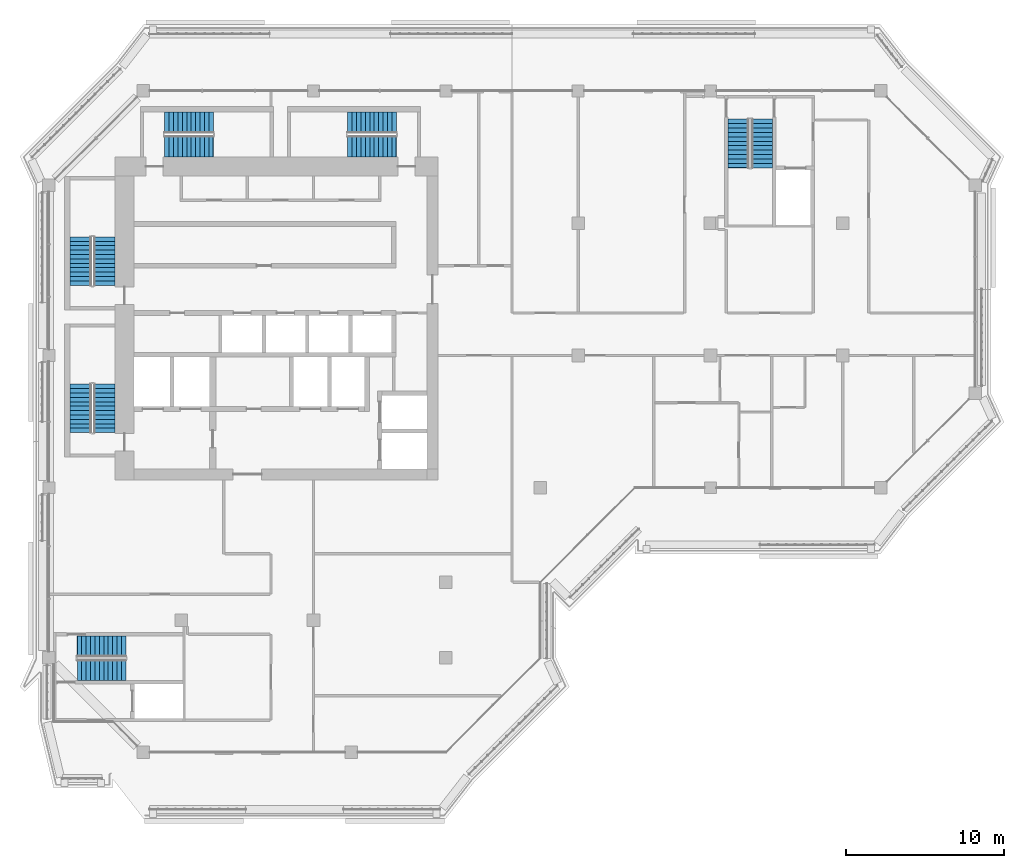
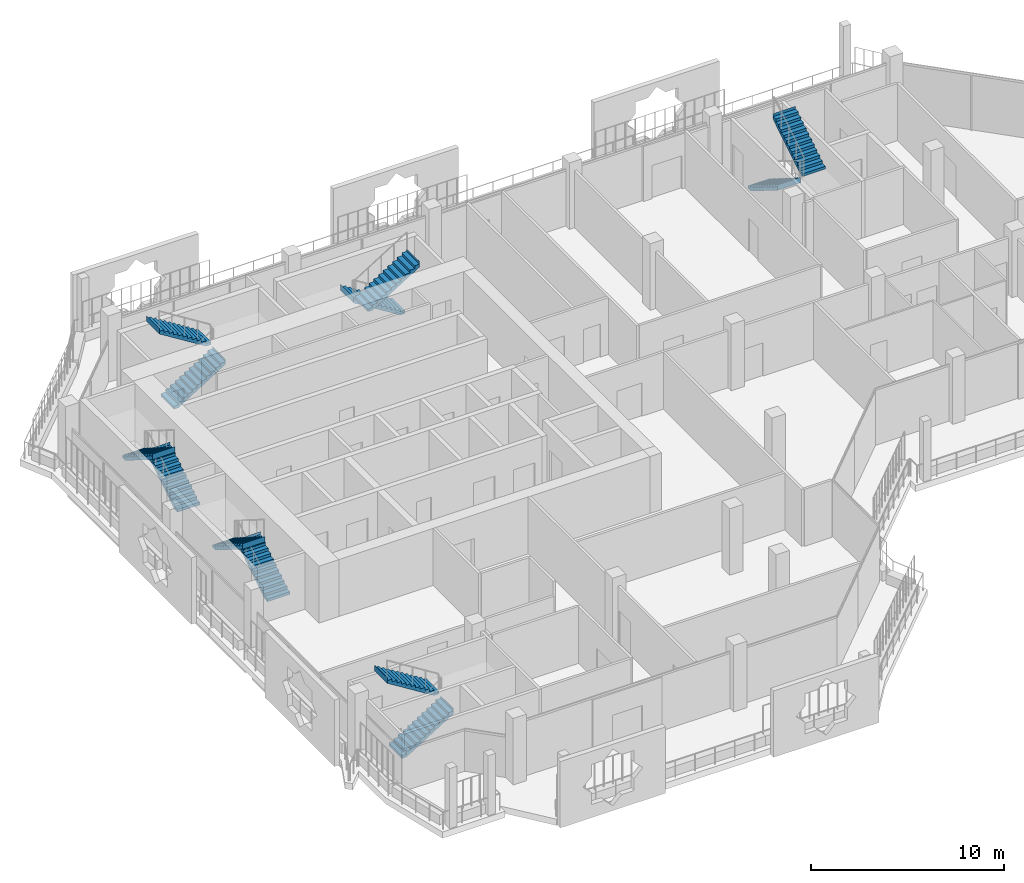
# One storey, part 14 of 21: 12 stair flights, 6 elements without a shape of their own.
"""IFC4 building model written with IfcOpenShell, lengths in metres."""

from ifc_helpers import new_model, si_unit, direction, frame, origin, place, context, subcontext, project, spatial, polyline, outline, extrude, material, type_object, element, aggregate, save


model = new_model("IFC4")

# Units and contexts
model_context = context("Model", 3, precision=1e-05, world=origin(), true_north=direction((0.0, 1.0)))
body_context = subcontext(model_context, "Body", "Model", "MODEL_VIEW")
ifc_project = project(units=[si_unit("LENGTHUNIT", "METRE"), si_unit("AREAUNIT", "SQUARE_METRE"), si_unit("VOLUMEUNIT", "CUBIC_METRE"), si_unit("PLANEANGLEUNIT", "RADIAN"), si_unit("MASSUNIT", "GRAM", prefix="KILO")], contexts=[model_context])

# Site, building, storey
site_placement = place(None, origin())
site = spatial("IfcSite", under=ifc_project, at=site_placement, CompositionType="ELEMENT")
building_placement = place(site_placement, origin())
building = spatial("IfcBuilding", under=site, at=building_placement, Name="Kawkab Arch Medical Tower", CompositionType="ELEMENT")
storey_placement = place(building_placement, frame((0.0, 0.0, 315.39990234375)))
storey = spatial("IfcBuildingStorey", under=building, at=storey_placement, Name="L73", CompositionType="ELEMENT", Elevation=315.39990234375)

# Stair, stair flights
ifc_material_1 = material(Name="Concrete C40/50", Category="concrete")
stair_type = type_object("IfcStairType", Name="Exit stair 1350", PredefinedType="HALF_TURN_STAIR", material=ifc_material_1)
placement = place(storey_placement, origin())
stair_1 = element("IfcStair", 1, at=placement, inside=storey, type_object=stair_type, Name="L73 Exit stair ST1", PredefinedType="HALF_TURN_STAIR")
ifc_material_2 = material(Name="Concrete C40/50", Category="concrete")
stair_flight_type = type_object("IfcStairFlightType", Name="Exit stair flight 1350", PredefinedType="STRAIGHT", material=ifc_material_2)
stair_flight_1_placement = place(storey_placement, frame((3.52490234375, -12.35009765625, 0.0), z_axis=(0.0, 0.0, 1.0), x_axis=(0.0, 1.0, 0.0)))
stair_flight_1 = element("IfcStairFlight", 2, at=stair_flight_1_placement, type_object=stair_flight_type, Name="ST1 flight 1", NumberOfRisers=12, NumberOfTreads=11, PredefinedType="STRAIGHT", RiserHeight=0.175, TreadLength=0.28, context=body_context, shape_type="SweptSolid", body=[
    extrude(outline(polyline([(-0.0029296875, 0.0), (-0.0029296875, 0.175048828125), (0.0, 0.175048828125), (0.280029296875, 0.175048828125), (0.280029296875, 0.35009765625), (0.56005859375, 0.35009765625), (0.56005859375, 0.52490234375), (0.840087890625, 0.52490234375), (0.840087890625, 0.699951171875), (1.1201171875, 0.699951171875), (1.1201171875, 0.875), (1.39990234375, 0.875), (1.39990234375, 1.050048828125), (1.679931640625, 1.050048828125), (1.679931640625, 1.22509765625), (1.9599609375, 1.22509765625), (1.9599609375, 1.39990234375), (2.239990234375, 1.39990234375), (2.239990234375, 1.574951171875), (2.52001953125, 1.574951171875), (2.52001953125, 1.75), (2.800048828125, 1.75), (2.800048828125, 1.925048828125), (3.080078125, 1.925048828125), (3.080078125, 2.10009765625), (3.0830078125, 2.10009765625), (3.0830078125, 1.748291015625), (3.080078125, 1.748291015625), (0.28271484375, 0.0), (-0.0029296875, 0.0)])), frame((0.0, 0.675048828125, 0.0), z_axis=(0.0, -1.0, 0.0), x_axis=(1.0, 0.0, 0.0)), (0.0, 0.0, 1.0), 1.35009765625),
])
stair_flight_2_placement = place(storey_placement, frame((2.02490234375, -9.27001953125, 2.10009765625), z_axis=(0.0, 0.0, 1.0), x_axis=(0.0, -1.0, 0.0)))
stair_flight_2 = element("IfcStairFlight", 3, at=stair_flight_2_placement, type_object=stair_flight_type, Name="ST1 flight 2", NumberOfRisers=12, NumberOfTreads=11, PredefinedType="STRAIGHT", RiserHeight=0.175, TreadLength=0.28, context=body_context, shape_type="SweptSolid", body=[
    extrude(outline(polyline([(-0.0029296875, 0.0), (-0.0029296875, 0.175048828125), (0.0, 0.175048828125), (0.280029296875, 0.175048828125), (0.280029296875, 0.35009765625), (0.56005859375, 0.35009765625), (0.56005859375, 0.52490234375), (0.840087890625, 0.52490234375), (0.840087890625, 0.699951171875), (1.1201171875, 0.699951171875), (1.1201171875, 0.875), (1.39990234375, 0.875), (1.39990234375, 1.050048828125), (1.679931640625, 1.050048828125), (1.679931640625, 1.22509765625), (1.9599609375, 1.22509765625), (1.9599609375, 1.39990234375), (2.239990234375, 1.39990234375), (2.239990234375, 1.574951171875), (2.52001953125, 1.574951171875), (2.52001953125, 1.75), (2.800048828125, 1.75), (2.800048828125, 1.925048828125), (3.080078125, 1.925048828125), (3.080078125, 2.10009765625), (3.0830078125, 2.10009765625), (3.0830078125, 1.748291015625), (3.080078125, 1.748291015625), (0.28271484375, 0.0), (-0.0029296875, 0.0)])), frame((0.0, 0.675048828125, 0.0), z_axis=(0.0, -1.0, 0.0), x_axis=(1.0, 0.0, 0.0)), (0.0, 0.0, 1.0), 1.35009765625),
])
aggregate(stair_1, [stair_flight_1, stair_flight_2])

stair_2 = element("IfcStair", 4, at=placement, inside=storey, type_object=stair_type, Name="L73 Exit stair ST2", PredefinedType="HALF_TURN_STAIR")
stair_flight_3_placement = place(storey_placement, frame((3.52490234375, -21.699951171875, 0.0), z_axis=(0.0, 0.0, 1.0), x_axis=(0.0, 1.0, 0.0)))
stair_flight_3 = element("IfcStairFlight", 5, at=stair_flight_3_placement, type_object=stair_flight_type, Name="ST2 flight 1", NumberOfRisers=12, NumberOfTreads=11, PredefinedType="STRAIGHT", RiserHeight=0.175, TreadLength=0.28, context=body_context, shape_type="SweptSolid", body=[
    extrude(outline(polyline([(-0.0029296875, 0.0), (-0.0029296875, 0.175048828125), (0.0, 0.175048828125), (0.280029296875, 0.175048828125), (0.280029296875, 0.35009765625), (0.56005859375, 0.35009765625), (0.56005859375, 0.52490234375), (0.840087890625, 0.52490234375), (0.840087890625, 0.699951171875), (1.1201171875, 0.699951171875), (1.1201171875, 0.875), (1.39990234375, 0.875), (1.39990234375, 1.050048828125), (1.679931640625, 1.050048828125), (1.679931640625, 1.22509765625), (1.9599609375, 1.22509765625), (1.9599609375, 1.39990234375), (2.239990234375, 1.39990234375), (2.239990234375, 1.574951171875), (2.52001953125, 1.574951171875), (2.52001953125, 1.75), (2.800048828125, 1.75), (2.800048828125, 1.925048828125), (3.080078125, 1.925048828125), (3.080078125, 2.10009765625), (3.0830078125, 2.10009765625), (3.0830078125, 1.748291015625), (3.080078125, 1.748291015625), (0.28271484375, 0.0), (-0.0029296875, 0.0)])), frame((0.0, 0.675048828125, 0.0), z_axis=(0.0, -1.0, 0.0), x_axis=(1.0, 0.0, 0.0)), (0.0, 0.0, 1.0), 1.35009765625),
])
stair_flight_4_placement = place(storey_placement, frame((2.02490234375, -18.6201171875, 2.10009765625), z_axis=(0.0, 0.0, 1.0), x_axis=(0.0, -1.0, 0.0)))
stair_flight_4 = element("IfcStairFlight", 6, at=stair_flight_4_placement, type_object=stair_flight_type, Name="ST2 flight 2", NumberOfRisers=12, NumberOfTreads=11, PredefinedType="STRAIGHT", RiserHeight=0.175, TreadLength=0.28, context=body_context, shape_type="SweptSolid", body=[
    extrude(outline(polyline([(-0.0029296875, 0.0), (-0.0029296875, 0.175048828125), (0.0, 0.175048828125), (0.280029296875, 0.175048828125), (0.280029296875, 0.35009765625), (0.56005859375, 0.35009765625), (0.56005859375, 0.52490234375), (0.840087890625, 0.52490234375), (0.840087890625, 0.699951171875), (1.1201171875, 0.699951171875), (1.1201171875, 0.875), (1.39990234375, 0.875), (1.39990234375, 1.050048828125), (1.679931640625, 1.050048828125), (1.679931640625, 1.22509765625), (1.9599609375, 1.22509765625), (1.9599609375, 1.39990234375), (2.239990234375, 1.39990234375), (2.239990234375, 1.574951171875), (2.52001953125, 1.574951171875), (2.52001953125, 1.75), (2.800048828125, 1.75), (2.800048828125, 1.925048828125), (3.080078125, 1.925048828125), (3.080078125, 2.10009765625), (3.0830078125, 2.10009765625), (3.0830078125, 1.748291015625), (3.080078125, 1.748291015625), (0.28271484375, 0.0), (-0.0029296875, 0.0)])), frame((0.0, 0.675048828125, 0.0), z_axis=(0.0, -1.0, 0.0), x_axis=(1.0, 0.0, 0.0)), (0.0, 0.0, 1.0), 1.35009765625),
])
aggregate(stair_2, [stair_flight_3, stair_flight_4])

stair_3 = element("IfcStair", 7, at=placement, inside=storey, type_object=stair_type, Name="L73 Exit stair ST3", PredefinedType="HALF_TURN_STAIR")
stair_flight_5_placement = place(storey_placement, frame((7.35009765625, -3.52490234375, 0.0), z_axis=(0.0, 0.0, 1.0), x_axis=(1.0, 0.0, 0.0)))
stair_flight_5 = element("IfcStairFlight", 8, at=stair_flight_5_placement, type_object=stair_flight_type, Name="ST3 flight 1", NumberOfRisers=12, NumberOfTreads=11, PredefinedType="STRAIGHT", RiserHeight=0.175, TreadLength=0.28, context=body_context, shape_type="SweptSolid", body=[
    extrude(outline(polyline([(-0.0029296875, 0.0), (-0.0029296875, 0.175048828125), (0.0, 0.175048828125), (0.280029296875, 0.175048828125), (0.280029296875, 0.35009765625), (0.56005859375, 0.35009765625), (0.56005859375, 0.52490234375), (0.840087890625, 0.52490234375), (0.840087890625, 0.699951171875), (1.1201171875, 0.699951171875), (1.1201171875, 0.875), (1.39990234375, 0.875), (1.39990234375, 1.050048828125), (1.679931640625, 1.050048828125), (1.679931640625, 1.22509765625), (1.9599609375, 1.22509765625), (1.9599609375, 1.39990234375), (2.239990234375, 1.39990234375), (2.239990234375, 1.574951171875), (2.52001953125, 1.574951171875), (2.52001953125, 1.75), (2.800048828125, 1.75), (2.800048828125, 1.925048828125), (3.080078125, 1.925048828125), (3.080078125, 2.10009765625), (3.0830078125, 2.10009765625), (3.0830078125, 1.748291015625), (3.080078125, 1.748291015625), (0.28271484375, 0.0), (-0.0029296875, 0.0)])), frame((0.0, 0.675048828125, 0.0), z_axis=(0.0, -1.0, 0.0), x_axis=(1.0, 0.0, 0.0)), (0.0, 0.0, 1.0), 1.35009765625),
])
stair_flight_6_placement = place(storey_placement, frame((10.429931640625, -2.02490234375, 2.10009765625), z_axis=(0.0, 0.0, 1.0), x_axis=(-1.0, 0.0, 0.0)))
stair_flight_6 = element("IfcStairFlight", 9, at=stair_flight_6_placement, type_object=stair_flight_type, Name="ST3 flight 2", NumberOfRisers=12, NumberOfTreads=11, PredefinedType="STRAIGHT", RiserHeight=0.175, TreadLength=0.28, context=body_context, shape_type="SweptSolid", body=[
    extrude(outline(polyline([(-0.0029296875, 0.0), (-0.0029296875, 0.175048828125), (0.0, 0.175048828125), (0.280029296875, 0.175048828125), (0.280029296875, 0.35009765625), (0.56005859375, 0.35009765625), (0.56005859375, 0.52490234375), (0.840087890625, 0.52490234375), (0.840087890625, 0.699951171875), (1.1201171875, 0.699951171875), (1.1201171875, 0.875), (1.39990234375, 0.875), (1.39990234375, 1.050048828125), (1.679931640625, 1.050048828125), (1.679931640625, 1.22509765625), (1.9599609375, 1.22509765625), (1.9599609375, 1.39990234375), (2.239990234375, 1.39990234375), (2.239990234375, 1.574951171875), (2.52001953125, 1.574951171875), (2.52001953125, 1.75), (2.800048828125, 1.75), (2.800048828125, 1.925048828125), (3.080078125, 1.925048828125), (3.080078125, 2.10009765625), (3.0830078125, 2.10009765625), (3.0830078125, 1.748291015625), (3.080078125, 1.748291015625), (0.28271484375, 0.0), (-0.0029296875, 0.0)])), frame((0.0, 0.675048828125, 0.0), z_axis=(0.0, -1.0, 0.0), x_axis=(1.0, 0.0, 0.0)), (0.0, 0.0, 1.0), 1.35009765625),
])
aggregate(stair_3, [stair_flight_5, stair_flight_6])

stair_4 = element("IfcStair", 10, at=placement, inside=storey, type_object=stair_type, Name="L73 Exit stair ST4", PredefinedType="HALF_TURN_STAIR")
stair_flight_7_placement = place(storey_placement, frame((22.050048828125, -2.02490234375, 0.0), z_axis=(0.0, 0.0, 1.0), x_axis=(-1.0, 0.0, 0.0)))
stair_flight_7 = element("IfcStairFlight", 11, at=stair_flight_7_placement, type_object=stair_flight_type, Name="ST4 flight 1", NumberOfRisers=12, NumberOfTreads=11, PredefinedType="STRAIGHT", RiserHeight=0.175, TreadLength=0.28, context=body_context, shape_type="SweptSolid", body=[
    extrude(outline(polyline([(-0.0029296875, 0.0), (-0.0029296875, 0.175048828125), (0.0, 0.175048828125), (0.280029296875, 0.175048828125), (0.280029296875, 0.35009765625), (0.56005859375, 0.35009765625), (0.56005859375, 0.52490234375), (0.840087890625, 0.52490234375), (0.840087890625, 0.699951171875), (1.1201171875, 0.699951171875), (1.1201171875, 0.875), (1.39990234375, 0.875), (1.39990234375, 1.050048828125), (1.679931640625, 1.050048828125), (1.679931640625, 1.22509765625), (1.9599609375, 1.22509765625), (1.9599609375, 1.39990234375), (2.239990234375, 1.39990234375), (2.239990234375, 1.574951171875), (2.52001953125, 1.574951171875), (2.52001953125, 1.75), (2.800048828125, 1.75), (2.800048828125, 1.925048828125), (3.080078125, 1.925048828125), (3.080078125, 2.10009765625), (3.0830078125, 2.10009765625), (3.0830078125, 1.748291015625), (3.080078125, 1.748291015625), (0.28271484375, 0.0), (-0.0029296875, 0.0)])), frame((0.0, 0.675048828125, 0.0), z_axis=(0.0, -1.0, 0.0), x_axis=(1.0, 0.0, 0.0)), (0.0, 0.0, 1.0), 1.35009765625),
])
stair_flight_8_placement = place(storey_placement, frame((18.969970703125, -3.52490234375, 2.10009765625), z_axis=(0.0, 0.0, 1.0), x_axis=(1.0, 0.0, 0.0)))
stair_flight_8 = element("IfcStairFlight", 12, at=stair_flight_8_placement, type_object=stair_flight_type, Name="ST4 flight 2", NumberOfRisers=12, NumberOfTreads=11, PredefinedType="STRAIGHT", RiserHeight=0.175, TreadLength=0.28, context=body_context, shape_type="SweptSolid", body=[
    extrude(outline(polyline([(-0.0029296875, 0.0), (-0.0029296875, 0.175048828125), (0.0, 0.175048828125), (0.280029296875, 0.175048828125), (0.280029296875, 0.35009765625), (0.56005859375, 0.35009765625), (0.56005859375, 0.52490234375), (0.840087890625, 0.52490234375), (0.840087890625, 0.699951171875), (1.1201171875, 0.699951171875), (1.1201171875, 0.875), (1.39990234375, 0.875), (1.39990234375, 1.050048828125), (1.679931640625, 1.050048828125), (1.679931640625, 1.22509765625), (1.9599609375, 1.22509765625), (1.9599609375, 1.39990234375), (2.239990234375, 1.39990234375), (2.239990234375, 1.574951171875), (2.52001953125, 1.574951171875), (2.52001953125, 1.75), (2.800048828125, 1.75), (2.800048828125, 1.925048828125), (3.080078125, 1.925048828125), (3.080078125, 2.10009765625), (3.0830078125, 2.10009765625), (3.0830078125, 1.748291015625), (3.080078125, 1.748291015625), (0.28271484375, 0.0), (-0.0029296875, 0.0)])), frame((0.0, 0.675048828125, 0.0), z_axis=(0.0, -1.0, 0.0), x_axis=(1.0, 0.0, 0.0)), (0.0, 0.0, 1.0), 1.35009765625),
])
aggregate(stair_4, [stair_flight_7, stair_flight_8])

stair_5 = element("IfcStair", 13, at=placement, inside=storey, type_object=stair_type, Name="L73 Exit stair ST5", PredefinedType="HALF_TURN_STAIR")
stair_flight_9_placement = place(storey_placement, frame((43.77490234375, -1.800048828125, 0.0), z_axis=(0.0, 0.0, 1.0), x_axis=(0.0, -1.0, 0.0)))
stair_flight_9 = element("IfcStairFlight", 14, at=stair_flight_9_placement, type_object=stair_flight_type, Name="ST5 flight 1", NumberOfRisers=12, NumberOfTreads=11, PredefinedType="STRAIGHT", RiserHeight=0.175, TreadLength=0.28, context=body_context, shape_type="SweptSolid", body=[
    extrude(outline(polyline([(-0.0029296875, 0.0), (-0.0029296875, 0.175048828125), (0.0, 0.175048828125), (0.280029296875, 0.175048828125), (0.280029296875, 0.35009765625), (0.56005859375, 0.35009765625), (0.56005859375, 0.52490234375), (0.840087890625, 0.52490234375), (0.840087890625, 0.699951171875), (1.1201171875, 0.699951171875), (1.1201171875, 0.875), (1.39990234375, 0.875), (1.39990234375, 1.050048828125), (1.679931640625, 1.050048828125), (1.679931640625, 1.22509765625), (1.9599609375, 1.22509765625), (1.9599609375, 1.39990234375), (2.239990234375, 1.39990234375), (2.239990234375, 1.574951171875), (2.52001953125, 1.574951171875), (2.52001953125, 1.75), (2.800048828125, 1.75), (2.800048828125, 1.925048828125), (3.080078125, 1.925048828125), (3.080078125, 2.10009765625), (3.0830078125, 2.10009765625), (3.0830078125, 1.748291015625), (3.080078125, 1.748291015625), (0.28271484375, 0.0), (-0.0029296875, 0.0)])), frame((0.0, 0.675048828125, 0.0), z_axis=(0.0, -1.0, 0.0), x_axis=(1.0, 0.0, 0.0)), (0.0, 0.0, 1.0), 1.35009765625),
])
stair_flight_10_placement = place(storey_placement, frame((45.27490234375, -4.8798828125, 2.10009765625), z_axis=(0.0, 0.0, 1.0), x_axis=(0.0, 1.0, 0.0)))
stair_flight_10 = element("IfcStairFlight", 15, at=stair_flight_10_placement, type_object=stair_flight_type, Name="ST5 flight 2", NumberOfRisers=12, NumberOfTreads=11, PredefinedType="STRAIGHT", RiserHeight=0.175, TreadLength=0.28, context=body_context, shape_type="SweptSolid", body=[
    extrude(outline(polyline([(-0.0029296875, 0.0), (-0.0029296875, 0.175048828125), (0.0, 0.175048828125), (0.280029296875, 0.175048828125), (0.280029296875, 0.35009765625), (0.56005859375, 0.35009765625), (0.56005859375, 0.52490234375), (0.840087890625, 0.52490234375), (0.840087890625, 0.699951171875), (1.1201171875, 0.699951171875), (1.1201171875, 0.875), (1.39990234375, 0.875), (1.39990234375, 1.050048828125), (1.679931640625, 1.050048828125), (1.679931640625, 1.22509765625), (1.9599609375, 1.22509765625), (1.9599609375, 1.39990234375), (2.239990234375, 1.39990234375), (2.239990234375, 1.574951171875), (2.52001953125, 1.574951171875), (2.52001953125, 1.75), (2.800048828125, 1.75), (2.800048828125, 1.925048828125), (3.080078125, 1.925048828125), (3.080078125, 2.10009765625), (3.0830078125, 2.10009765625), (3.0830078125, 1.748291015625), (3.080078125, 1.748291015625), (0.28271484375, 0.0), (-0.0029296875, 0.0)])), frame((0.0, 0.675048828125, 0.0), z_axis=(0.0, -1.0, 0.0), x_axis=(1.0, 0.0, 0.0)), (0.0, 0.0, 1.0), 1.35009765625),
])
aggregate(stair_5, [stair_flight_9, stair_flight_10])

stair_6 = element("IfcStair", 16, at=placement, inside=storey, type_object=stair_type, Name="L73 Exit stair ST6", PredefinedType="HALF_TURN_STAIR")
stair_flight_11_placement = place(storey_placement, frame((1.800048828125, -36.77490234375, 0.0), z_axis=(0.0, 0.0, 1.0), x_axis=(1.0, 0.0, 0.0)))
stair_flight_11 = element("IfcStairFlight", 17, at=stair_flight_11_placement, type_object=stair_flight_type, Name="ST6 flight 1", NumberOfRisers=12, NumberOfTreads=11, PredefinedType="STRAIGHT", RiserHeight=0.175, TreadLength=0.28, context=body_context, shape_type="SweptSolid", body=[
    extrude(outline(polyline([(-0.0029296875, 0.0), (-0.0029296875, 0.175048828125), (0.0, 0.175048828125), (0.280029296875, 0.175048828125), (0.280029296875, 0.35009765625), (0.56005859375, 0.35009765625), (0.56005859375, 0.52490234375), (0.840087890625, 0.52490234375), (0.840087890625, 0.699951171875), (1.1201171875, 0.699951171875), (1.1201171875, 0.875), (1.39990234375, 0.875), (1.39990234375, 1.050048828125), (1.679931640625, 1.050048828125), (1.679931640625, 1.22509765625), (1.9599609375, 1.22509765625), (1.9599609375, 1.39990234375), (2.239990234375, 1.39990234375), (2.239990234375, 1.574951171875), (2.52001953125, 1.574951171875), (2.52001953125, 1.75), (2.800048828125, 1.75), (2.800048828125, 1.925048828125), (3.080078125, 1.925048828125), (3.080078125, 2.10009765625), (3.0830078125, 2.10009765625), (3.0830078125, 1.748291015625), (3.080078125, 1.748291015625), (0.28271484375, 0.0), (-0.0029296875, 0.0)])), frame((0.0, 0.675048828125, 0.0), z_axis=(0.0, -1.0, 0.0), x_axis=(1.0, 0.0, 0.0)), (0.0, 0.0, 1.0), 1.35009765625),
])
stair_flight_12_placement = place(storey_placement, frame((4.8798828125, -35.27490234375, 2.10009765625), z_axis=(0.0, 0.0, 1.0), x_axis=(-1.0, 0.0, 0.0)))
stair_flight_12 = element("IfcStairFlight", 18, at=stair_flight_12_placement, type_object=stair_flight_type, Name="ST6 flight 2", NumberOfRisers=12, NumberOfTreads=11, PredefinedType="STRAIGHT", RiserHeight=0.175, TreadLength=0.28, context=body_context, shape_type="SweptSolid", body=[
    extrude(outline(polyline([(-0.0029296875, 0.0), (-0.0029296875, 0.175048828125), (0.0, 0.175048828125), (0.280029296875, 0.175048828125), (0.280029296875, 0.35009765625), (0.56005859375, 0.35009765625), (0.56005859375, 0.52490234375), (0.840087890625, 0.52490234375), (0.840087890625, 0.699951171875), (1.1201171875, 0.699951171875), (1.1201171875, 0.875), (1.39990234375, 0.875), (1.39990234375, 1.050048828125), (1.679931640625, 1.050048828125), (1.679931640625, 1.22509765625), (1.9599609375, 1.22509765625), (1.9599609375, 1.39990234375), (2.239990234375, 1.39990234375), (2.239990234375, 1.574951171875), (2.52001953125, 1.574951171875), (2.52001953125, 1.75), (2.800048828125, 1.75), (2.800048828125, 1.925048828125), (3.080078125, 1.925048828125), (3.080078125, 2.10009765625), (3.0830078125, 2.10009765625), (3.0830078125, 1.748291015625), (3.080078125, 1.748291015625), (0.28271484375, 0.0), (-0.0029296875, 0.0)])), frame((0.0, 0.675048828125, 0.0), z_axis=(0.0, -1.0, 0.0), x_axis=(1.0, 0.0, 0.0)), (0.0, 0.0, 1.0), 1.35009765625),
])
aggregate(stair_6, [stair_flight_11, stair_flight_12])

save(model, "model.ifc")
